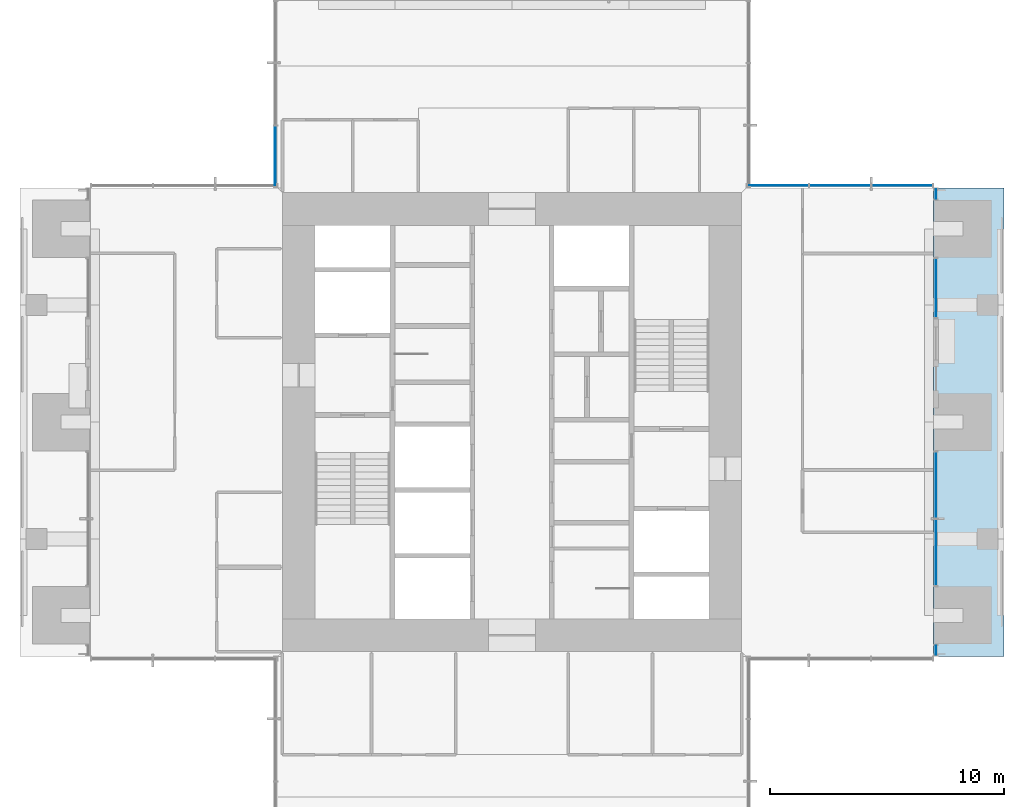
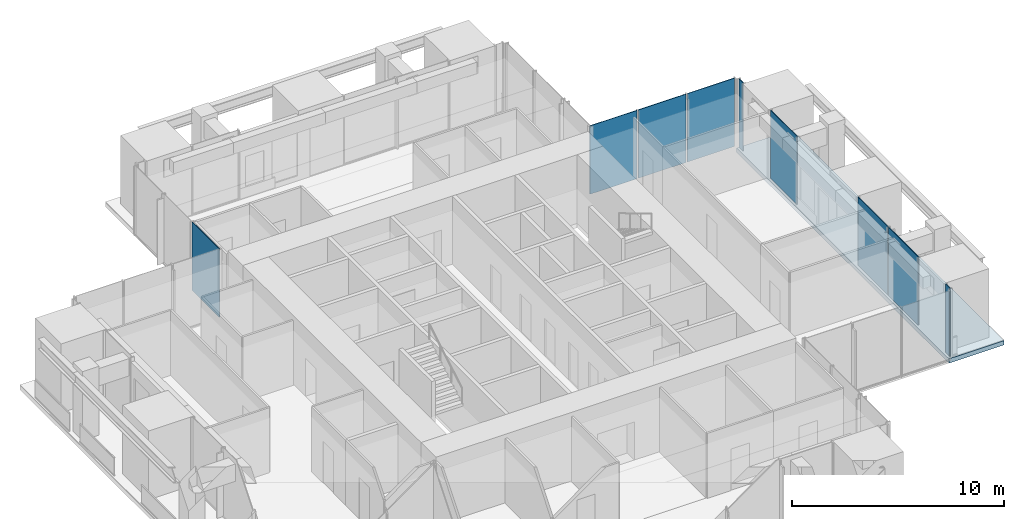
# One storey, part 10 of 17: 9 plates, 1 slab, 6 elements without a shape of their own.
"""IFC4 building model written with IfcOpenShell, lengths in metres."""

from ifc_helpers import new_model, si_unit, direction, frame, origin, origin_2d, place, context, subcontext, project, spatial, polyline, rectangle, outline, extrude, material, layer, layer_set, type_object, element, aggregate, save


model = new_model("IFC4")

# Units and contexts
model_context = context("Model", 3, precision=1e-05, world=origin(), true_north=direction((0.0, 1.0)))
body_context = subcontext(model_context, "Body", "Model", "MODEL_VIEW")
ifc_project = project(units=[si_unit("LENGTHUNIT", "METRE"), si_unit("AREAUNIT", "SQUARE_METRE"), si_unit("VOLUMEUNIT", "CUBIC_METRE"), si_unit("PLANEANGLEUNIT", "RADIAN"), si_unit("MASSUNIT", "GRAM", prefix="KILO")], contexts=[model_context])

# Site, building, storey
site_placement = place(None, origin())
site = spatial("IfcSite", under=ifc_project, at=site_placement, CompositionType="ELEMENT")
building_placement = place(site_placement, origin())
building = spatial("IfcBuilding", under=site, at=building_placement, Name="Svetlomir Tower", CompositionType="ELEMENT")
storey_placement = place(building_placement, frame((0.0, 0.0, 206.5)))
storey = spatial("IfcBuildingStorey", under=building, at=storey_placement, Name="L49", CompositionType="ELEMENT", Elevation=206.5)

# Curtain wall, plate
ifc_material_1 = material(Name="Bronze anodised aluminium curtain wall", Category="aluminium")
curtain_wall_type = type_object("IfcCurtainWallType", Name="CURTAIN WALL CW1 TOWER OFFICE", PredefinedType="NOTDEFINED", material=ifc_material_1)
curtain_wall_1_placement = place(storey_placement, origin())
curtain_wall_1 = element("IfcCurtainWall", 1, at=curtain_wall_1_placement, inside=storey, type_object=curtain_wall_type, Name="Curtain wall CW1 L49", PredefinedType="NOTDEFINED")
ifc_material_2 = material(Name="Tinted double glazed unit", Category="glass")
ifc_layer_1 = layer(ifc_material_2, 0.031982421875)
ifc_layer_set_1 = layer_set([ifc_layer_1], Name="Tinted double glazed unit")
plate_type = type_object("IfcPlateType", Name="CW1 GLAZED PANEL 32", PredefinedType="CURTAIN_PANEL", material=ifc_layer_set_1)
plate_1_placement = place(storey_placement, frame((39.10009765625, 11.262451171875, 0.06494140625), z_axis=(0.0, 0.0, 1.0), x_axis=(0.0, 1.0, 0.0)))
plate_1 = element("IfcPlate", 2, at=plate_1_placement, type_object=plate_type, Name="CW1 panel 1.1", PredefinedType="CURTAIN_PANEL", context=body_context, shape_type="SweptSolid", body=[
    extrude(rectangle(XDim=0.39501953125, YDim=0.031982421875, at=origin_2d()), origin(), (0.0, 0.0, 1.0), 3.93505859375),
])
aggregate(curtain_wall_1, [plate_1])

# Curtain wall, plates
curtain_wall_2_placement = place(storey_placement, origin())
curtain_wall_2 = element("IfcCurtainWall", 3, at=curtain_wall_2_placement, inside=storey, type_object=curtain_wall_type, Name="Curtain wall CW1 L49", PredefinedType="NOTDEFINED")
plate_2_placement = place(storey_placement, frame((39.10009765625, 15.441162109375, 0.06494140625), z_axis=(0.0, 0.0, 1.0), x_axis=(0.0, 1.0, 0.0)))
plate_2 = element("IfcPlate", 4, at=plate_2_placement, type_object=plate_type, Name="CW1 panel 1.1", PredefinedType="CURTAIN_PANEL", context=body_context, shape_type="SweptSolid", body=[
    extrude(rectangle(XDim=2.802490234375, YDim=0.031982421875, at=origin_2d()), origin(), (0.0, 0.0, 1.0), 3.93505859375),
])
plate_3_placement = place(storey_placement, frame((39.10009765625, 18.308837890625, 0.06494140625), z_axis=(0.0, 0.0, 1.0), x_axis=(0.0, 1.0, 0.0)))
plate_3 = element("IfcPlate", 5, at=plate_3_placement, type_object=plate_type, Name="CW1 panel 2.1", PredefinedType="CURTAIN_PANEL", context=body_context, shape_type="SweptSolid", body=[
    extrude(rectangle(XDim=2.802490234375, YDim=0.031982421875, at=origin_2d()), origin(), (0.0, 0.0, 1.0), 3.93505859375),
])
aggregate(curtain_wall_2, [plate_2, plate_3])

# Curtain wall, plate
curtain_wall_3_placement = place(storey_placement, origin())
curtain_wall_3 = element("IfcCurtainWall", 6, at=curtain_wall_3_placement, inside=storey, type_object=curtain_wall_type, Name="Curtain wall CW1 L49", PredefinedType="NOTDEFINED")
plate_4_placement = place(storey_placement, frame((39.10009765625, 26.71240234375, 0.06494140625), z_axis=(0.0, 0.0, 1.0), x_axis=(0.0, 1.0, 0.0)))
plate_4 = element("IfcPlate", 7, at=plate_4_placement, type_object=plate_type, Name="CW1 panel 1.1", PredefinedType="CURTAIN_PANEL", context=body_context, shape_type="SweptSolid", body=[
    extrude(rectangle(XDim=2.4951171875, YDim=0.031982421875, at=origin_2d()), origin(), (0.0, 0.0, 1.0), 3.93505859375),
])
aggregate(curtain_wall_3, [plate_4])

curtain_wall_4_placement = place(storey_placement, origin())
curtain_wall_4 = element("IfcCurtainWall", 8, at=curtain_wall_4_placement, inside=storey, type_object=curtain_wall_type, Name="Curtain wall CW1 L49", PredefinedType="NOTDEFINED")
plate_5_placement = place(storey_placement, frame((39.10009765625, 30.737548828125, 0.06494140625), z_axis=(0.0, 0.0, 1.0), x_axis=(0.0, 1.0, 0.0)))
plate_5 = element("IfcPlate", 9, at=plate_5_placement, type_object=plate_type, Name="CW1 panel 1.1", PredefinedType="CURTAIN_PANEL", context=body_context, shape_type="SweptSolid", body=[
    extrude(rectangle(XDim=0.39501953125, YDim=0.031982421875, at=origin_2d()), origin(), (0.0, 0.0, 1.0), 3.93505859375),
])
aggregate(curtain_wall_4, [plate_5])

# Curtain wall, plates
curtain_wall_5_placement = place(storey_placement, origin())
curtain_wall_5 = element("IfcCurtainWall", 10, at=curtain_wall_5_placement, inside=storey, type_object=curtain_wall_type, Name="Curtain wall CW1 L49", PredefinedType="NOTDEFINED")
plate_6_placement = place(storey_placement, frame((37.650390625, 31.10009765625, 0.06494140625), z_axis=(0.0, 0.0, 1.0), x_axis=(-1.0, 0.0, 0.0)))
plate_6 = element("IfcPlate", 11, at=plate_6_placement, type_object=plate_type, Name="CW1 panel 1.1", PredefinedType="CURTAIN_PANEL", context=body_context, shape_type="SweptSolid", body=[
    extrude(rectangle(XDim=2.569091796875, YDim=0.031982421875, at=origin_2d()), origin(), (0.0, 0.0, 1.0), 3.93505859375),
])
plate_7_placement = place(storey_placement, frame((35.0, 31.10009765625, 0.06494140625), z_axis=(0.0, 0.0, 1.0), x_axis=(-1.0, 0.0, 0.0)))
plate_7 = element("IfcPlate", 12, at=plate_7_placement, type_object=plate_type, Name="CW1 panel 2.1", PredefinedType="CURTAIN_PANEL", context=body_context, shape_type="SweptSolid", body=[
    extrude(rectangle(XDim=2.6015625, YDim=0.031982421875, at=origin_2d()), origin(), (0.0, 0.0, 1.0), 3.93505859375),
])
plate_8_placement = place(storey_placement, frame((32.349609375, 31.10009765625, 0.06494140625), z_axis=(0.0, 0.0, 1.0), x_axis=(-1.0, 0.0, 0.0)))
plate_8 = element("IfcPlate", 13, at=plate_8_placement, type_object=plate_type, Name="CW1 panel 3.1", PredefinedType="CURTAIN_PANEL", context=body_context, shape_type="SweptSolid", body=[
    extrude(rectangle(XDim=2.569091796875, YDim=0.031982421875, at=origin_2d()), origin(), (0.0, 0.0, 1.0), 3.93505859375),
])
aggregate(curtain_wall_5, [plate_6, plate_7, plate_8])

# Curtain wall, plate
curtain_wall_6_placement = place(storey_placement, origin())
curtain_wall_6 = element("IfcCurtainWall", 14, at=curtain_wall_6_placement, inside=storey, type_object=curtain_wall_type, Name="Curtain wall CW1 L49", PredefinedType="NOTDEFINED")
plate_9_placement = place(storey_placement, frame((10.89990234375, 32.349609375, 0.06494140625), z_axis=(0.0, 0.0, 1.0), x_axis=(0.0, -1.0, 0.0)))
plate_9 = element("IfcPlate", 15, at=plate_9_placement, type_object=plate_type, Name="CW1 panel 3.1", PredefinedType="CURTAIN_PANEL", context=body_context, shape_type="SweptSolid", body=[
    extrude(rectangle(XDim=2.569091796875, YDim=0.031982421875, at=origin_2d()), origin(), (0.0, 0.0, 1.0), 3.93505859375),
])
aggregate(curtain_wall_6, [plate_9])

# Slab
ifc_material_3 = material(Name="Concrete C60/75", Category="concrete")
ifc_layer_2 = layer(ifc_material_3, 0.25)
ifc_layer_set_2 = layer_set([ifc_layer_2], Name="Concrete C60/75")
slab_type = type_object("IfcSlabType", Name="PLANTED LOGGIA SLAB 250", PredefinedType="FLOOR", material=ifc_layer_set_2)
slab_placement = place(storey_placement, frame((0.0, 0.0, -0.25)))
element("IfcSlab", 16, at=slab_placement, inside=storey, type_object=slab_type, Name="L49 E planted loggia", PredefinedType="FLOOR", context=body_context, shape_type="SweptSolid", body=[
    extrude(outline(polyline([(39.0, 11.0), (42.0, 11.0), (42.0, 31.0), (39.0, 31.0), (39.0, 11.0)])), origin(), (0.0, 0.0, 1.0), 0.25),
])

save(model, "model.ifc")
